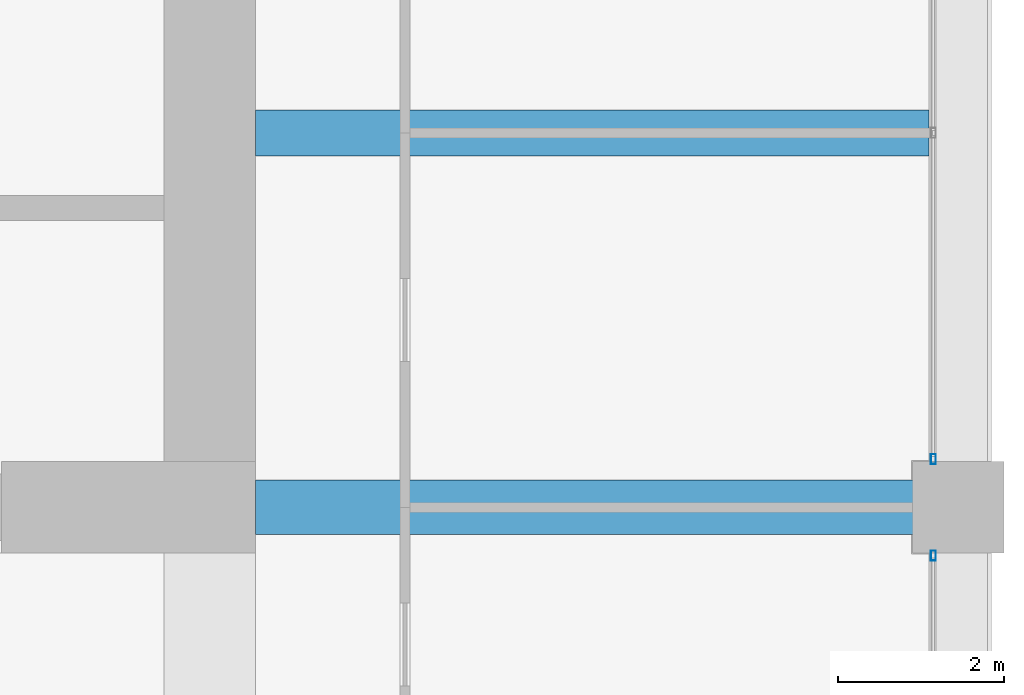
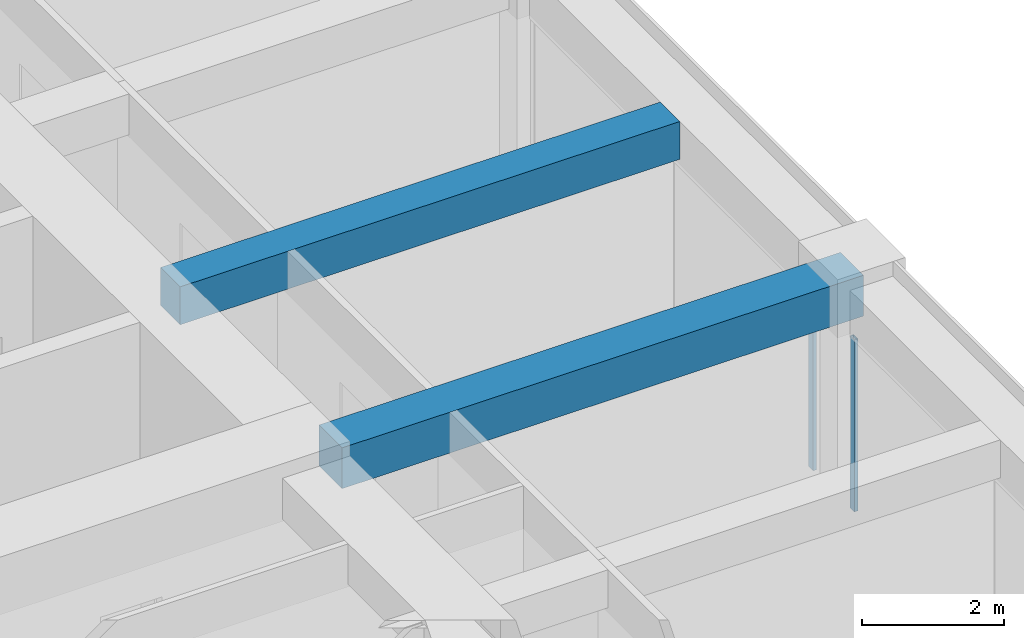
# One storey, part 24 of 44: 2 beams, 2 members, 2 elements without a shape of their own.
"""IFC4 building model written with IfcOpenShell, lengths in metres."""

from ifc_helpers import new_model, si_unit, direction, frame, origin, origin_2d, place, context, subcontext, project, spatial, rectangle, hollow_rectangle, extrude, material, material_profile, profile_set, type_object, element, aggregate, save


model = new_model("IFC4")

# Units and contexts
model_context = context("Model", 3, precision=1e-05, world=origin(), true_north=direction((0.0, 1.0)))
body_context = subcontext(model_context, "Body", "Model", "MODEL_VIEW")
ifc_project = project(units=[si_unit("LENGTHUNIT", "METRE"), si_unit("AREAUNIT", "SQUARE_METRE"), si_unit("VOLUMEUNIT", "CUBIC_METRE"), si_unit("PLANEANGLEUNIT", "RADIAN"), si_unit("MASSUNIT", "GRAM", prefix="KILO")], contexts=[model_context])

# Site, building, storey
site_placement = place(None, origin())
site = spatial("IfcSite", under=ifc_project, at=site_placement, CompositionType="ELEMENT")
building_placement = place(site_placement, origin())
building = spatial("IfcBuilding", under=site, at=building_placement, Name="Zorevar Civic Tower", CompositionType="ELEMENT")
storey_placement = place(building_placement, frame((0.0, 0.0, 255.39990234375)))
storey = spatial("IfcBuildingStorey", under=building, at=storey_placement, Name="L62", CompositionType="ELEMENT", Elevation=255.39990234375)

# Beams
ifc_material_1 = material(Name="Concrete C50/60", Category="concrete")
ifc_material_profile_1 = material_profile(ifc_material_1, rectangle(XDim=0.550048828125, YDim=0.64990234375, at=origin_2d()), Name="RC 550x650")
ifc_profile_set_1 = profile_set([ifc_material_profile_1], Name="Concrete C50/60")
beam_type_1 = type_object("IfcBeamType", Name="Beam RC 550x650", PredefinedType="BEAM", material=ifc_profile_set_1)
beam_1_placement = place(storey_placement, frame((45.550048828125, 22.5, 3.425048828125), z_axis=(1.0, 0.0, 0.0), x_axis=(0.0, 1.0, 0.0)))
element("IfcBeam", 1, at=beam_1_placement, inside=storey, type_object=beam_type_1, Name="Secondary beam L63", PredefinedType="BEAM", context=body_context, shape_type="SweptSolid", body=[
    extrude(rectangle(XDim=0.550048828125, YDim=0.64990234375, at=origin_2d()), origin(), (0.0, 0.0, 1.0), 8.099853515625),
])
ifc_material_2 = material(Name="Concrete C50/60", Category="concrete")
ifc_material_profile_2 = material_profile(ifc_material_2, rectangle(XDim=0.64990234375, YDim=0.699951171875, at=origin_2d()), Name="RC 650x700")
ifc_profile_set_2 = profile_set([ifc_material_profile_2], Name="Concrete C50/60")
beam_type_2 = type_object("IfcBeamType", Name="Beam RC 650x700", PredefinedType="BEAM", material=ifc_profile_set_2)
beam_2_placement = place(storey_placement, frame((45.550048828125, 18.0, 3.400146484375), z_axis=(1.0, 0.0, 0.0), x_axis=(0.0, 1.0, 0.0)))
element("IfcBeam", 2, at=beam_2_placement, inside=storey, type_object=beam_type_2, Name="Girder L63", PredefinedType="BEAM", context=body_context, shape_type="SweptSolid", body=[
    extrude(rectangle(XDim=0.64990234375, YDim=0.699951171875, at=origin_2d()), origin(), (0.0, 0.0, 1.0), 8.449951171875),
])

# Curtain wall, member
ifc_material_3 = material(Name="Dark grey solar-control glass in black aluminium frame", Category="aluminium")
curtain_wall_type = type_object("IfcCurtainWallType", Name="Curtain wall CW5 top zone", PredefinedType="NOTDEFINED", material=ifc_material_3)
curtain_wall_1_placement = place(storey_placement, origin())
curtain_wall_1 = element("IfcCurtainWall", 3, at=curtain_wall_1_placement, inside=storey, type_object=curtain_wall_type, Name="CW5 L62", PredefinedType="NOTDEFINED")
ifc_material_4 = material(Name="Aluminium, black anodised", Category="aluminium")
ifc_material_profile_3 = material_profile(ifc_material_4, hollow_rectangle(XDim=0.06005859375, YDim=0.1201171875, WallThickness=0.0029296875, at=origin_2d()), Name="AL 120x60x3")
ifc_profile_set_3 = profile_set([ifc_material_profile_3], Name="Aluminium, black anodised")
member_type = type_object("IfcMemberType", Name="CW5 mullion AL 120x60x3", PredefinedType="MULLION", material=ifc_profile_set_3)
member_1_placement = place(storey_placement, frame((53.699951171875, 17.419921875, 0.0), z_axis=(0.0, 0.0, 1.0), x_axis=(-1.0, 0.0, 0.0)))
member_1 = element("IfcMember", 4, at=member_1_placement, type_object=member_type, Name="CW5 mullion 3", PredefinedType="MULLION", context=body_context, shape_type="SweptSolid", body=[
    extrude(hollow_rectangle(XDim=0.06005859375, YDim=0.1201171875, WallThickness=0.0029296875, at=origin_2d()), origin(), (0.0, 0.0, 1.0), 2.9501953125),
])
aggregate(curtain_wall_1, [member_1])

curtain_wall_2_placement = place(storey_placement, origin())
curtain_wall_2 = element("IfcCurtainWall", 5, at=curtain_wall_2_placement, inside=storey, type_object=curtain_wall_type, Name="CW5 L62", PredefinedType="NOTDEFINED")
member_2_placement = place(storey_placement, frame((53.699951171875, 18.580078125, 0.0), z_axis=(0.0, 0.0, 1.0), x_axis=(-1.0, 0.0, 0.0)))
member_2 = element("IfcMember", 6, at=member_2_placement, type_object=member_type, Name="CW5 mullion 1", PredefinedType="MULLION", context=body_context, shape_type="SweptSolid", body=[
    extrude(hollow_rectangle(XDim=0.06005859375, YDim=0.1201171875, WallThickness=0.0029296875, at=origin_2d()), origin(), (0.0, 0.0, 1.0), 2.9501953125),
])
aggregate(curtain_wall_2, [member_2])

save(model, "model.ifc")
